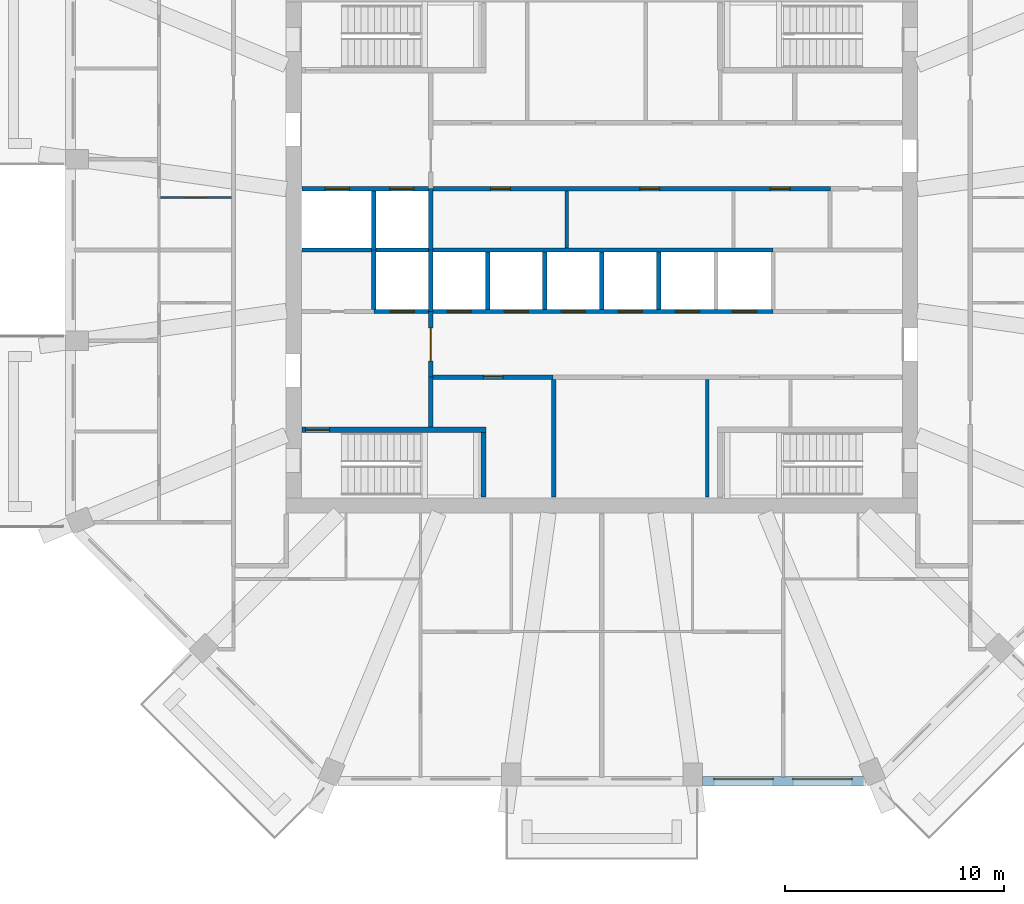
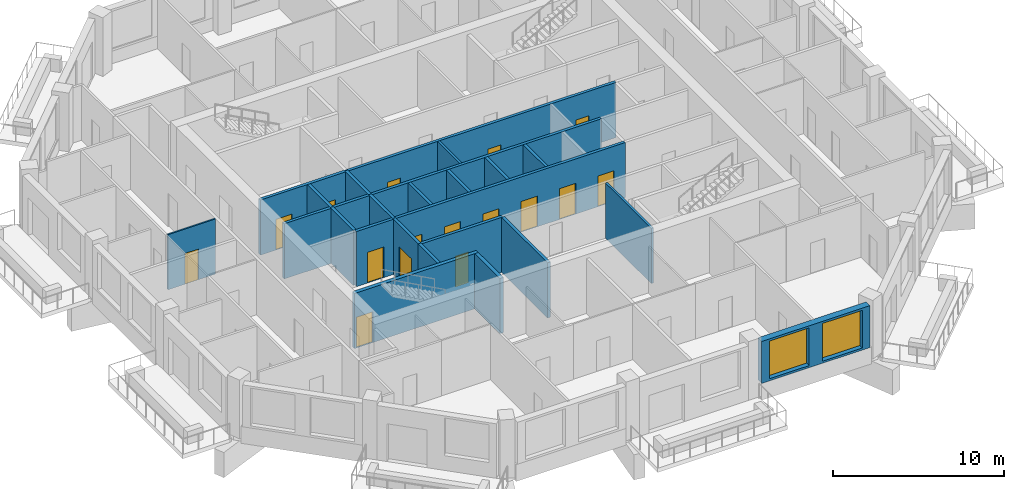
# One storey, part 4 of 12: 22 walls, 16 doors, 2 windows, 18 openings.
"""IFC4 building model written with IfcOpenShell, lengths in metres."""

from ifc_helpers import new_model, si_unit, direction, frame, frame_2d, origin, place, context, subcontext, project, spatial, rectangle, extrude, material, layer, layer_set, type_object, element, fill, save


model = new_model("IFC4")

# Units and contexts
model_context = context("Model", 3, precision=1e-05, world=origin(), true_north=direction((0.0, 1.0)))
body_context = subcontext(model_context, "Body", "Model", "MODEL_VIEW")
ifc_project = project(units=[si_unit("LENGTHUNIT", "METRE"), si_unit("AREAUNIT", "SQUARE_METRE"), si_unit("VOLUMEUNIT", "CUBIC_METRE"), si_unit("PLANEANGLEUNIT", "RADIAN"), si_unit("MASSUNIT", "GRAM", prefix="KILO")], contexts=[model_context])

# Site, building, storey
site_placement = place(None, origin())
site = spatial("IfcSite", under=ifc_project, at=site_placement, CompositionType="ELEMENT")
building_placement = place(site_placement, origin())
building = spatial("IfcBuilding", under=site, at=building_placement, Name="Msitu Wima Residences", CompositionType="ELEMENT")
storey_placement = place(building_placement, frame((0.0, 0.0, 162.300048828125)))
storey = spatial("IfcBuildingStorey", under=building, at=storey_placement, Name="L37", CompositionType="ELEMENT", Elevation=162.300048828125)

# Wall, openings, windows
ifc_material_1 = material(Name="Brick (red buff mix)", Category="masonry")
ifc_layer_1 = layer(ifc_material_1, 0.449951171875)
ifc_layer_set_1 = layer_set([ifc_layer_1], Name="Brick (red buff mix)")
wall_type_1 = type_object("IfcWallType", Name="Brick infill wall BW450", PredefinedType="SOLIDWALL", material=ifc_layer_set_1)
wall_1_placement = place(storey_placement, frame((4.587158203125, -24.22509765625, 0.89990234375), z_axis=(0.0, 0.0, 1.0), x_axis=(1.0, 0.0, 0.0)))
wall_1 = element("IfcWall", 1, at=wall_1_placement, inside=storey, type_object=wall_type_1, Name="Brick infill wall L37 S2", PredefinedType="SOLIDWALL", context=body_context, shape_type="SweptSolid", body=[
    extrude(rectangle(XDim=7.337646484375, YDim=0.449951171875, at=frame_2d((3.6689453125, 0.0))), origin(), (0.0, 0.0, 1.0), 3.0),
])
opening_1_placement = place(wall_1_placement, frame((0.518798828125, 0.0, 0.14990234375)))
opening_1 = element("IfcOpeningElement", 2, at=opening_1_placement, cuts=wall_1, Name="Opening W37.019", PredefinedType="OPENING", context=body_context, shape_type="SweptSolid", body=[
    extrude(rectangle(XDim=2.699951171875, YDim=2.699951171875, at=frame_2d((1.35009765625, 1.35009765625))), frame((0.0, 0.23486328125, 0.0), z_axis=(0.0, -1.0, 0.0), x_axis=(1.0, 0.0, 0.0)), (0.0, 0.0, 1.0), 0.469970703125),
])
opening_2_placement = place(wall_1_placement, frame((4.11865234375, 0.0, 0.14990234375)))
opening_2 = element("IfcOpeningElement", 3, at=opening_2_placement, cuts=wall_1, Name="Opening W37.020", PredefinedType="OPENING", context=body_context, shape_type="SweptSolid", body=[
    extrude(rectangle(XDim=2.699951171875, YDim=2.699951171875, at=frame_2d((1.35009765625, 1.35009765625))), frame((0.0, 0.23486328125, 0.0), z_axis=(0.0, -1.0, 0.0), x_axis=(1.0, 0.0, 0.0)), (0.0, 0.0, 1.0), 0.469970703125),
])
ifc_material_2 = material(Name="Anodised aluminium, bronze finish, clear low-emissivity double glazing", Category="aluminium")
window_type = type_object("IfcWindowType", Name="Window W2700x2700", PartitioningType="DOUBLE_PANEL_VERTICAL", PredefinedType="WINDOW", material=ifc_material_2)
window_1_placement = place(opening_1_placement, origin())
window_1 = element("IfcWindow", 4, at=window_1_placement, inside=storey, type_object=window_type, Name="Window L37 S2.1", OverallHeight=2.699951171875, OverallWidth=2.699951171875, PartitioningType="SINGLE_PANEL", PredefinedType="WINDOW", context=body_context, shape_type="SweptSolid", body=[
    extrude(rectangle(XDim=2.699951171875, YDim=2.699951171875, at=frame_2d((1.35009765625, 1.35009765625))), frame((0.0, 0.135009765625, 0.0), z_axis=(0.0, -1.0, 0.0), x_axis=(1.0, 0.0, 0.0)), (0.0, 0.0, 1.0), 0.06005859375),
])
fill(opening_1, window_1)
window_2_placement = place(opening_2_placement, origin())
window_2 = element("IfcWindow", 5, at=window_2_placement, inside=storey, type_object=window_type, Name="Window L37 S2.2", OverallHeight=2.699951171875, OverallWidth=2.699951171875, PartitioningType="SINGLE_PANEL", PredefinedType="WINDOW", context=body_context, shape_type="SweptSolid", body=[
    extrude(rectangle(XDim=2.699951171875, YDim=2.699951171875, at=frame_2d((1.35009765625, 1.35009765625))), frame((0.0, 0.135009765625, 0.0), z_axis=(0.0, -1.0, 0.0), x_axis=(1.0, 0.0, 0.0)), (0.0, 0.0, 1.0), 0.06005859375),
])
fill(opening_2, window_2)

# Wall, openings, doors
ifc_material_3 = material(Name="Plaster")
ifc_layer_2 = layer(ifc_material_3, 0.011962890625, Name="Plaster")
ifc_material_4 = material(Name="Concrete blockwork", Category="masonry")
ifc_layer_3 = layer(ifc_material_4, 0.176025390625, Name="Concrete blockwork")
ifc_layer_4 = layer(ifc_material_3, 0.011962890625, Name="Plaster")
ifc_layer_set_2 = layer_set([ifc_layer_2, ifc_layer_3, ifc_layer_4], Name="Concrete blockwork")
wall_type_2 = type_object("IfcWallType", Name="Corridor wall FW200", PredefinedType="PARTITIONING", material=ifc_layer_set_2)
wall_2_placement = place(storey_placement, frame((-7.820068359375, 2.800048828125, 0.0), z_axis=(0.0, 0.0, 1.0), x_axis=(1.0, 0.0, 0.0)))
wall_2 = element("IfcWall", 6, at=wall_2_placement, inside=storey, type_object=wall_type_2, Name="Corridor wall", PredefinedType="PARTITIONING", context=body_context, shape_type="SweptSolid", body=[
    extrude(rectangle(XDim=18.239990234375, YDim=0.199951171875, at=frame_2d((9.1201171875, 0.0))), origin(), (0.0, 0.0, 1.0), 3.949951171875),
])
opening_3_placement = place(wall_2_placement, frame((2.75, 0.0, 0.0)))
opening_3 = element("IfcOpeningElement", 7, at=opening_3_placement, cuts=wall_2, Name="Opening D37.075", PredefinedType="OPENING", context=body_context, shape_type="SweptSolid", body=[
    extrude(rectangle(XDim=0.89990234375, YDim=2.199951171875, at=frame_2d((0.449951171875, 1.10009765625))), frame((0.0, 0.10986328125, 0.0), z_axis=(0.0, -1.0, 0.0), x_axis=(1.0, 0.0, 0.0)), (0.0, 0.0, 1.0), 0.219970703125),
])
opening_4_placement = place(wall_2_placement, frame((9.550048828125, 0.0, 0.0)))
opening_4 = element("IfcOpeningElement", 8, at=opening_4_placement, cuts=wall_2, Name="Opening D37.076", PredefinedType="OPENING", context=body_context, shape_type="SweptSolid", body=[
    extrude(rectangle(XDim=0.89990234375, YDim=2.199951171875, at=frame_2d((0.449951171875, 1.10009765625))), frame((0.0, 0.10986328125, 0.0), z_axis=(0.0, -1.0, 0.0), x_axis=(1.0, 0.0, 0.0)), (0.0, 0.0, 1.0), 0.219970703125),
])
opening_5_placement = place(wall_2_placement, frame((15.5, 0.0, 0.0)))
opening_5 = element("IfcOpeningElement", 9, at=opening_5_placement, cuts=wall_2, Name="Opening D37.077", PredefinedType="OPENING", context=body_context, shape_type="SweptSolid", body=[
    extrude(rectangle(XDim=0.89990234375, YDim=2.199951171875, at=frame_2d((0.449951171875, 1.10009765625))), frame((0.0, 0.10986328125, 0.0), z_axis=(0.0, -1.0, 0.0), x_axis=(1.0, 0.0, 0.0)), (0.0, 0.0, 1.0), 0.219970703125),
])
ifc_material_5 = material(Name="Timber flush door", Category="wood")
door_type_1 = type_object("IfcDoorType", Name="Service door D05 900x2200", OperationType="SINGLE_SWING_LEFT", PredefinedType="DOOR", material=ifc_material_5)
door_1_placement = place(opening_3_placement, origin())
door_1 = element("IfcDoor", 10, at=door_1_placement, inside=storey, type_object=door_type_1, Name="Service door", OperationType="SINGLE_SWING_LEFT", OverallHeight=2.199951171875, OverallWidth=0.89990234375, PredefinedType="DOOR", context=body_context, shape_type="SweptSolid", body=[
    extrude(rectangle(XDim=0.89990234375, YDim=2.199951171875, at=frame_2d((0.449951171875, 1.10009765625))), frame((0.0, 0.02490234375, 0.0), z_axis=(0.0, -1.0, 0.0), x_axis=(1.0, 0.0, 0.0)), (0.0, 0.0, 1.0), 0.050048828125),
])
fill(opening_3, door_1)
door_2_placement = place(opening_4_placement, origin())
door_2 = element("IfcDoor", 11, at=door_2_placement, inside=storey, type_object=door_type_1, Name="Service door", OperationType="SINGLE_SWING_LEFT", OverallHeight=2.199951171875, OverallWidth=0.89990234375, PredefinedType="DOOR", context=body_context, shape_type="SweptSolid", body=[
    extrude(rectangle(XDim=0.89990234375, YDim=2.199951171875, at=frame_2d((0.449951171875, 1.10009765625))), frame((0.0, 0.02490234375, 0.0), z_axis=(0.0, -1.0, 0.0), x_axis=(1.0, 0.0, 0.0)), (0.0, 0.0, 1.0), 0.050048828125),
])
fill(opening_4, door_2)
door_3_placement = place(opening_5_placement, origin())
door_3 = element("IfcDoor", 12, at=door_3_placement, inside=storey, type_object=door_type_1, Name="Service door", OperationType="SINGLE_SWING_RIGHT", OverallHeight=2.199951171875, OverallWidth=0.89990234375, PredefinedType="DOOR", context=body_context, shape_type="SweptSolid", body=[
    extrude(rectangle(XDim=0.89990234375, YDim=2.199951171875, at=frame_2d((0.449951171875, 1.10009765625))), frame((0.0, 0.02490234375, 0.0), z_axis=(0.0, -1.0, 0.0), x_axis=(1.0, 0.0, 0.0)), (0.0, 0.0, 1.0), 0.050048828125),
])
fill(opening_5, door_3)

# Wall, opening, door
wall_3_placement = place(storey_placement, frame((-7.800048828125, -5.800048828125, 0.0), z_axis=(0.0, 0.0, 1.0), x_axis=(0.0, 1.0, 0.0)))
wall_3 = element("IfcWall", 13, at=wall_3_placement, inside=storey, type_object=wall_type_2, Name="Corridor wall", PredefinedType="PARTITIONING", context=body_context, shape_type="SweptSolid", body=[
    extrude(rectangle(XDim=3.0, YDim=0.199951171875, at=frame_2d((1.5, 0.0))), origin(), (0.0, 0.0, 1.0), 3.949951171875),
])
opening_6_placement = place(wall_3_placement, frame((0.75, 0.0, 0.0)))
opening_6 = element("IfcOpeningElement", 14, at=opening_6_placement, cuts=wall_3, Name="Opening D37.063", PredefinedType="OPENING", context=body_context, shape_type="SweptSolid", body=[
    extrude(rectangle(XDim=1.5, YDim=2.39990234375, at=frame_2d((0.75, 1.199951171875))), frame((0.0, 0.10986328125, 0.0), z_axis=(0.0, -1.0, 0.0), x_axis=(1.0, 0.0, 0.0)), (0.0, 0.0, 1.0), 0.219970703125),
])
ifc_material_6 = material(Name="Steel framed glazed door, fire resisting", Category="steel")
door_type_2 = type_object("IfcDoorType", Name="Lobby door D07 1500x2400", OperationType="DOUBLE_DOOR_SINGLE_SWING", PredefinedType="DOOR", material=ifc_material_6)
door_4_placement = place(opening_6_placement, origin())
door_4 = element("IfcDoor", 15, at=door_4_placement, inside=storey, type_object=door_type_2, Name="Lobby door", OperationType="DOUBLE_DOOR_SINGLE_SWING", OverallHeight=2.39990234375, OverallWidth=1.5, PredefinedType="DOOR", context=body_context, shape_type="SweptSolid", body=[
    extrude(rectangle(XDim=1.5, YDim=2.39990234375, at=frame_2d((0.75, 1.199951171875))), frame((0.0, 0.02490234375, 0.0), z_axis=(0.0, -1.0, 0.0), x_axis=(1.0, 0.0, 0.0)), (0.0, 0.0, 1.0), 0.050048828125),
])
fill(opening_6, door_4)

# Walls
ifc_layer_5 = layer(ifc_material_3, 0.011962890625, Name="Plaster")
ifc_layer_6 = layer(ifc_material_4, 0.1259765625, Name="Concrete blockwork")
ifc_layer_7 = layer(ifc_material_3, 0.011962890625, Name="Plaster")
ifc_layer_set_3 = layer_set([ifc_layer_5, ifc_layer_6, ifc_layer_7], Name="Concrete blockwork")
wall_type_3 = type_object("IfcWallType", Name="Partition PW150", PredefinedType="PARTITIONING", material=ifc_layer_set_3)
wall_4_placement = place(storey_placement, frame((-1.60009765625, 0.10009765625, 0.0), z_axis=(0.0, 0.0, 1.0), x_axis=(0.0, 1.0, 0.0)))
element("IfcWall", 16, at=wall_4_placement, inside=storey, type_object=wall_type_3, Name="Partition", PredefinedType="PARTITIONING", context=body_context, shape_type="SweptSolid", body=[
    extrude(rectangle(XDim=2.599853515625, YDim=0.14990234375, at=frame_2d((1.2998046875, 0.0))), origin(), (0.0, 0.0, 1.0), 3.949951171875),
])
wall_5_placement = place(storey_placement, frame((4.800048828125, -11.27001953125, 0.0), z_axis=(0.0, 0.0, 1.0), x_axis=(0.0, 1.0, 0.0)))
element("IfcWall", 17, at=wall_5_placement, inside=storey, type_object=wall_type_3, Name="Partition", PredefinedType="PARTITIONING", context=body_context, shape_type="SweptSolid", body=[
    extrude(rectangle(XDim=5.3701171875, YDim=0.14990234375, at=frame_2d((2.68505859375, 0.0))), origin(), (0.0, 0.0, 1.0), 3.949951171875),
])
ifc_layer_8 = layer(ifc_material_3, 0.011962890625, Name="Plaster")
ifc_material_7 = material(Name="Reinforced concrete blockwork", Category="masonry")
ifc_layer_9 = layer(ifc_material_7, 0.176025390625, Name="Reinforced concrete blockwork")
ifc_layer_10 = layer(ifc_material_3, 0.011962890625, Name="Plaster")
ifc_layer_set_4 = layer_set([ifc_layer_8, ifc_layer_9, ifc_layer_10], Name="Reinforced concrete blockwork")
wall_type_4 = type_object("IfcWallType", Name="Plant and riser wall PL200", PredefinedType="PARTITIONING", material=ifc_layer_set_4)
wall_6_placement = place(storey_placement, frame((-7.800048828125, -8.074951171875, 0.0), z_axis=(0.0, 0.0, 1.0), x_axis=(0.0, 1.0, 0.0)))
element("IfcWall", 18, at=wall_6_placement, inside=storey, type_object=wall_type_4, Name="Plant and riser wall", PredefinedType="PARTITIONING", context=body_context, shape_type="SweptSolid", body=[
    extrude(rectangle(XDim=2.27490234375, YDim=0.199951171875, at=frame_2d((1.137451171875, 0.0))), origin(), (0.0, 0.0, 1.0), 3.949951171875),
])

# Wall, opening, door
wall_7_placement = place(storey_placement, frame((-7.699951171875, -5.800048828125, 0.0), z_axis=(0.0, 0.0, 1.0), x_axis=(1.0, 0.0, 0.0)))
wall_7 = element("IfcWall", 19, at=wall_7_placement, inside=storey, type_object=wall_type_4, Name="Plant and riser wall", PredefinedType="PARTITIONING", context=body_context, shape_type="SweptSolid", body=[
    extrude(rectangle(XDim=5.47998046875, YDim=0.199951171875, at=frame_2d((2.739990234375, 0.0))), origin(), (0.0, 0.0, 1.0), 3.949951171875),
])
opening_7_placement = place(wall_7_placement, frame((2.300048828125, 0.0, 0.0)))
opening_7 = element("IfcOpeningElement", 20, at=opening_7_placement, cuts=wall_7, Name="Opening D37.069", PredefinedType="OPENING", context=body_context, shape_type="SweptSolid", body=[
    extrude(rectangle(XDim=0.89990234375, YDim=2.199951171875, at=frame_2d((0.449951171875, 1.10009765625))), frame((0.0, 0.10986328125, 0.0), z_axis=(0.0, -1.0, 0.0), x_axis=(1.0, 0.0, 0.0)), (0.0, 0.0, 1.0), 0.219970703125),
])
door_5_placement = place(opening_7_placement, origin())
door_5 = element("IfcDoor", 21, at=door_5_placement, inside=storey, type_object=door_type_1, Name="Service door", OperationType="SINGLE_SWING_LEFT", OverallHeight=2.199951171875, OverallWidth=0.89990234375, PredefinedType="DOOR", context=body_context, shape_type="SweptSolid", body=[
    extrude(rectangle(XDim=0.89990234375, YDim=2.199951171875, at=frame_2d((0.449951171875, 1.10009765625))), frame((0.0, 0.02490234375, 0.0), z_axis=(0.0, -1.0, 0.0), x_axis=(1.0, 0.0, 0.0)), (0.0, 0.0, 1.0), 0.050048828125),
])
fill(opening_7, door_5)

# Walls
wall_8_placement = place(storey_placement, frame((-2.199951171875, -11.27001953125, 0.0), z_axis=(0.0, 0.0, 1.0), x_axis=(0.0, 1.0, 0.0)))
element("IfcWall", 22, at=wall_8_placement, inside=storey, type_object=wall_type_4, Name="Plant and riser wall", PredefinedType="PARTITIONING", context=body_context, shape_type="SweptSolid", body=[
    extrude(rectangle(XDim=5.3701171875, YDim=0.199951171875, at=frame_2d((2.68505859375, 0.0))), origin(), (0.0, 0.0, 1.0), 3.949951171875),
])
ifc_material_8 = material(Name="Fire-rated board")
ifc_layer_11 = layer(ifc_material_8, 0.02490234375, Name="Fire-rated board")
ifc_material_9 = material(Name="Light-gauge stud framing with mineral wool")
ifc_layer_12 = layer(ifc_material_9, 0.14990234375, Name="Light-gauge stud framing with mineral wool")
ifc_layer_13 = layer(ifc_material_8, 0.02490234375, Name="Fire-rated board")
ifc_layer_set_5 = layer_set([ifc_layer_11, ifc_layer_12, ifc_layer_13], Name="Light-gauge stud framing with mineral wool")
wall_type_5 = type_object("IfcWallType", Name="Shaft wall SH200", PredefinedType="PARTITIONING", material=ifc_layer_set_5)
wall_9_placement = place(storey_placement, frame((-13.669921875, 0.0, 0.0), z_axis=(0.0, 0.0, 1.0), x_axis=(1.0, 0.0, 0.0)))
element("IfcWall", 23, at=wall_9_placement, inside=storey, type_object=wall_type_5, Name="Shaft wall", PredefinedType="PARTITIONING", context=body_context, shape_type="SweptSolid", body=[
    extrude(rectangle(XDim=21.469970703125, YDim=0.199951171875, at=frame_2d((10.73486328125, 0.0))), origin(), (0.0, 0.0, 1.0), 3.949951171875),
])

# Wall, openings, doors
wall_10_placement = place(storey_placement, frame((-13.669921875, 2.800048828125, 0.0), z_axis=(0.0, 0.0, 1.0), x_axis=(1.0, 0.0, 0.0)))
wall_10 = element("IfcWall", 24, at=wall_10_placement, inside=storey, type_object=wall_type_5, Name="Shaft wall", PredefinedType="PARTITIONING", context=body_context, shape_type="SweptSolid", body=[
    extrude(rectangle(XDim=5.849853515625, YDim=0.199951171875, at=frame_2d((2.9248046875, 0.0))), origin(), (0.0, 0.0, 1.0), 3.949951171875),
])
opening_8_placement = place(wall_10_placement, frame((1.050048828125, 0.0, 0.0)))
opening_8 = element("IfcOpeningElement", 25, at=opening_8_placement, cuts=wall_10, Name="Opening LD", PredefinedType="OPENING", context=body_context, shape_type="SweptSolid", body=[
    extrude(rectangle(XDim=1.10009765625, YDim=2.199951171875, at=frame_2d((0.550048828125, 1.10009765625))), frame((0.0, 0.10986328125, 0.0), z_axis=(0.0, -1.0, 0.0), x_axis=(1.0, 0.0, 0.0)), (0.0, 0.0, 1.0), 0.219970703125),
])
opening_9_placement = place(wall_10_placement, frame((4.0, 0.0, 0.0)))
opening_9 = element("IfcOpeningElement", 26, at=opening_9_placement, cuts=wall_10, Name="Opening LD", PredefinedType="OPENING", context=body_context, shape_type="SweptSolid", body=[
    extrude(rectangle(XDim=1.10009765625, YDim=2.199951171875, at=frame_2d((0.550048828125, 1.10009765625))), frame((0.0, 0.10986328125, 0.0), z_axis=(0.0, -1.0, 0.0), x_axis=(1.0, 0.0, 0.0)), (0.0, 0.0, 1.0), 0.219970703125),
])
ifc_material_10 = material(Name="Stainless steel centre-opening landing door, rated", Category="steel")
door_type_3 = type_object("IfcDoorType", Name="Lift landing door LD 1100x2200", OperationType="DOUBLE_DOOR_SLIDING", PredefinedType="DOOR", material=ifc_material_10)
door_6_placement = place(opening_8_placement, origin())
door_6 = element("IfcDoor", 27, at=door_6_placement, inside=storey, type_object=door_type_3, Name="Lift landing door LD1", OperationType="DOUBLE_DOOR_SLIDING", OverallHeight=2.199951171875, OverallWidth=1.10009765625, PredefinedType="DOOR", context=body_context, shape_type="SweptSolid", body=[
    extrude(rectangle(XDim=1.10009765625, YDim=2.199951171875, at=frame_2d((0.550048828125, 1.10009765625))), frame((0.0, 0.02490234375, 0.0), z_axis=(0.0, -1.0, 0.0), x_axis=(1.0, 0.0, 0.0)), (0.0, 0.0, 1.0), 0.050048828125),
])
fill(opening_8, door_6)
door_7_placement = place(opening_9_placement, origin())
door_7 = element("IfcDoor", 28, at=door_7_placement, inside=storey, type_object=door_type_3, Name="Lift landing door LD2", OperationType="DOUBLE_DOOR_SLIDING", OverallHeight=2.199951171875, OverallWidth=1.10009765625, PredefinedType="DOOR", context=body_context, shape_type="SweptSolid", body=[
    extrude(rectangle(XDim=1.10009765625, YDim=2.199951171875, at=frame_2d((0.550048828125, 1.10009765625))), frame((0.0, 0.02490234375, 0.0), z_axis=(0.0, -1.0, 0.0), x_axis=(1.0, 0.0, 0.0)), (0.0, 0.0, 1.0), 0.050048828125),
])
fill(opening_9, door_7)

# Wall
wall_11_placement = place(storey_placement, frame((-10.39990234375, -2.699951171875, 0.0), z_axis=(0.0, 0.0, 1.0), x_axis=(0.0, 1.0, 0.0)))
element("IfcWall", 29, at=wall_11_placement, inside=storey, type_object=wall_type_5, Name="Shaft wall", PredefinedType="PARTITIONING", context=body_context, shape_type="SweptSolid", body=[
    extrude(rectangle(XDim=2.699951171875, YDim=0.199951171875, at=frame_2d((1.35009765625, 0.0))), origin(), (0.0, 0.0, 1.0), 3.949951171875),
])

# Wall, openings, doors
wall_12_placement = place(storey_placement, frame((-10.39990234375, -2.800048828125, 0.0), z_axis=(0.0, 0.0, 1.0), x_axis=(1.0, 0.0, 0.0)))
wall_12 = element("IfcWall", 30, at=wall_12_placement, inside=storey, type_object=wall_type_5, Name="Shaft wall", PredefinedType="PARTITIONING", context=body_context, shape_type="SweptSolid", body=[
    extrude(rectangle(XDim=18.199951171875, YDim=0.199951171875, at=frame_2d((9.10009765625, 0.0))), origin(), (0.0, 0.0, 1.0), 3.949951171875),
])
opening_10_placement = place(wall_12_placement, frame((0.75, 0.0, 0.0)))
opening_10 = element("IfcOpeningElement", 31, at=opening_10_placement, cuts=wall_12, Name="Opening LD", PredefinedType="OPENING", context=body_context, shape_type="SweptSolid", body=[
    extrude(rectangle(XDim=1.10009765625, YDim=2.199951171875, at=frame_2d((0.550048828125, 1.10009765625))), frame((0.0, 0.10986328125, 0.0), z_axis=(0.0, -1.0, 0.0), x_axis=(1.0, 0.0, 0.0)), (0.0, 0.0, 1.0), 0.219970703125),
])
opening_11_placement = place(wall_12_placement, frame((3.35009765625, 0.0, 0.0)))
opening_11 = element("IfcOpeningElement", 32, at=opening_11_placement, cuts=wall_12, Name="Opening LD", PredefinedType="OPENING", context=body_context, shape_type="SweptSolid", body=[
    extrude(rectangle(XDim=1.10009765625, YDim=2.199951171875, at=frame_2d((0.550048828125, 1.10009765625))), frame((0.0, 0.10986328125, 0.0), z_axis=(0.0, -1.0, 0.0), x_axis=(1.0, 0.0, 0.0)), (0.0, 0.0, 1.0), 0.219970703125),
])
opening_12_placement = place(wall_12_placement, frame((5.949951171875, 0.0, 0.0)))
opening_12 = element("IfcOpeningElement", 33, at=opening_12_placement, cuts=wall_12, Name="Opening LD", PredefinedType="OPENING", context=body_context, shape_type="SweptSolid", body=[
    extrude(rectangle(XDim=1.10009765625, YDim=2.199951171875, at=frame_2d((0.550048828125, 1.10009765625))), frame((0.0, 0.10986328125, 0.0), z_axis=(0.0, -1.0, 0.0), x_axis=(1.0, 0.0, 0.0)), (0.0, 0.0, 1.0), 0.219970703125),
])
opening_13_placement = place(wall_12_placement, frame((8.550048828125, 0.0, 0.0)))
opening_13 = element("IfcOpeningElement", 34, at=opening_13_placement, cuts=wall_12, Name="Opening LD", PredefinedType="OPENING", context=body_context, shape_type="SweptSolid", body=[
    extrude(rectangle(XDim=1.10009765625, YDim=2.199951171875, at=frame_2d((0.550048828125, 1.10009765625))), frame((0.0, 0.10986328125, 0.0), z_axis=(0.0, -1.0, 0.0), x_axis=(1.0, 0.0, 0.0)), (0.0, 0.0, 1.0), 0.219970703125),
])
opening_14_placement = place(wall_12_placement, frame((11.14990234375, 0.0, 0.0)))
opening_14 = element("IfcOpeningElement", 35, at=opening_14_placement, cuts=wall_12, Name="Opening LD", PredefinedType="OPENING", context=body_context, shape_type="SweptSolid", body=[
    extrude(rectangle(XDim=1.10009765625, YDim=2.199951171875, at=frame_2d((0.550048828125, 1.10009765625))), frame((0.0, 0.10986328125, 0.0), z_axis=(0.0, -1.0, 0.0), x_axis=(1.0, 0.0, 0.0)), (0.0, 0.0, 1.0), 0.219970703125),
])
opening_15_placement = place(wall_12_placement, frame((13.75, 0.0, 0.0)))
opening_15 = element("IfcOpeningElement", 36, at=opening_15_placement, cuts=wall_12, Name="Opening LD", PredefinedType="OPENING", context=body_context, shape_type="SweptSolid", body=[
    extrude(rectangle(XDim=1.10009765625, YDim=2.199951171875, at=frame_2d((0.550048828125, 1.10009765625))), frame((0.0, 0.10986328125, 0.0), z_axis=(0.0, -1.0, 0.0), x_axis=(1.0, 0.0, 0.0)), (0.0, 0.0, 1.0), 0.219970703125),
])
opening_16_placement = place(wall_12_placement, frame((16.35009765625, 0.0, 0.0)))
opening_16 = element("IfcOpeningElement", 37, at=opening_16_placement, cuts=wall_12, Name="Opening LD", PredefinedType="OPENING", context=body_context, shape_type="SweptSolid", body=[
    extrude(rectangle(XDim=1.10009765625, YDim=2.199951171875, at=frame_2d((0.550048828125, 1.10009765625))), frame((0.0, 0.10986328125, 0.0), z_axis=(0.0, -1.0, 0.0), x_axis=(1.0, 0.0, 0.0)), (0.0, 0.0, 1.0), 0.219970703125),
])
door_8_placement = place(opening_10_placement, origin())
door_8 = element("IfcDoor", 38, at=door_8_placement, inside=storey, type_object=door_type_3, Name="Lift landing door LD3", OperationType="DOUBLE_DOOR_SLIDING", OverallHeight=2.199951171875, OverallWidth=1.10009765625, PredefinedType="DOOR", context=body_context, shape_type="SweptSolid", body=[
    extrude(rectangle(XDim=1.10009765625, YDim=2.199951171875, at=frame_2d((0.550048828125, 1.10009765625))), frame((0.0, 0.02490234375, 0.0), z_axis=(0.0, -1.0, 0.0), x_axis=(1.0, 0.0, 0.0)), (0.0, 0.0, 1.0), 0.050048828125),
])
fill(opening_10, door_8)
door_9_placement = place(opening_11_placement, origin())
door_9 = element("IfcDoor", 39, at=door_9_placement, inside=storey, type_object=door_type_3, Name="Lift landing door LD5", OperationType="DOUBLE_DOOR_SLIDING", OverallHeight=2.199951171875, OverallWidth=1.10009765625, PredefinedType="DOOR", context=body_context, shape_type="SweptSolid", body=[
    extrude(rectangle(XDim=1.10009765625, YDim=2.199951171875, at=frame_2d((0.550048828125, 1.10009765625))), frame((0.0, 0.02490234375, 0.0), z_axis=(0.0, -1.0, 0.0), x_axis=(1.0, 0.0, 0.0)), (0.0, 0.0, 1.0), 0.050048828125),
])
fill(opening_11, door_9)
door_10_placement = place(opening_12_placement, origin())
door_10 = element("IfcDoor", 40, at=door_10_placement, inside=storey, type_object=door_type_3, Name="Lift landing door LD7", OperationType="DOUBLE_DOOR_SLIDING", OverallHeight=2.199951171875, OverallWidth=1.10009765625, PredefinedType="DOOR", context=body_context, shape_type="SweptSolid", body=[
    extrude(rectangle(XDim=1.10009765625, YDim=2.199951171875, at=frame_2d((0.550048828125, 1.10009765625))), frame((0.0, 0.02490234375, 0.0), z_axis=(0.0, -1.0, 0.0), x_axis=(1.0, 0.0, 0.0)), (0.0, 0.0, 1.0), 0.050048828125),
])
fill(opening_12, door_10)
door_11_placement = place(opening_13_placement, origin())
door_11 = element("IfcDoor", 41, at=door_11_placement, inside=storey, type_object=door_type_3, Name="Lift landing door LD9", OperationType="DOUBLE_DOOR_SLIDING", OverallHeight=2.199951171875, OverallWidth=1.10009765625, PredefinedType="DOOR", context=body_context, shape_type="SweptSolid", body=[
    extrude(rectangle(XDim=1.10009765625, YDim=2.199951171875, at=frame_2d((0.550048828125, 1.10009765625))), frame((0.0, 0.02490234375, 0.0), z_axis=(0.0, -1.0, 0.0), x_axis=(1.0, 0.0, 0.0)), (0.0, 0.0, 1.0), 0.050048828125),
])
fill(opening_13, door_11)
door_12_placement = place(opening_14_placement, origin())
door_12 = element("IfcDoor", 42, at=door_12_placement, inside=storey, type_object=door_type_3, Name="Lift landing door LD11", OperationType="DOUBLE_DOOR_SLIDING", OverallHeight=2.199951171875, OverallWidth=1.10009765625, PredefinedType="DOOR", context=body_context, shape_type="SweptSolid", body=[
    extrude(rectangle(XDim=1.10009765625, YDim=2.199951171875, at=frame_2d((0.550048828125, 1.10009765625))), frame((0.0, 0.02490234375, 0.0), z_axis=(0.0, -1.0, 0.0), x_axis=(1.0, 0.0, 0.0)), (0.0, 0.0, 1.0), 0.050048828125),
])
fill(opening_14, door_12)
door_13_placement = place(opening_15_placement, origin())
door_13 = element("IfcDoor", 43, at=door_13_placement, inside=storey, type_object=door_type_3, Name="Lift landing door LD13", OperationType="DOUBLE_DOOR_SLIDING", OverallHeight=2.199951171875, OverallWidth=1.10009765625, PredefinedType="DOOR", context=body_context, shape_type="SweptSolid", body=[
    extrude(rectangle(XDim=1.10009765625, YDim=2.199951171875, at=frame_2d((0.550048828125, 1.10009765625))), frame((0.0, 0.02490234375, 0.0), z_axis=(0.0, -1.0, 0.0), x_axis=(1.0, 0.0, 0.0)), (0.0, 0.0, 1.0), 0.050048828125),
])
fill(opening_15, door_13)
door_14_placement = place(opening_16_placement, origin())
door_14 = element("IfcDoor", 44, at=door_14_placement, inside=storey, type_object=door_type_3, Name="Lift landing door LD15", OperationType="DOUBLE_DOOR_SLIDING", OverallHeight=2.199951171875, OverallWidth=1.10009765625, PredefinedType="DOOR", context=body_context, shape_type="SweptSolid", body=[
    extrude(rectangle(XDim=1.10009765625, YDim=2.199951171875, at=frame_2d((0.550048828125, 1.10009765625))), frame((0.0, 0.02490234375, 0.0), z_axis=(0.0, -1.0, 0.0), x_axis=(1.0, 0.0, 0.0)), (0.0, 0.0, 1.0), 0.050048828125),
])
fill(opening_16, door_14)

# Walls
wall_13_placement = place(storey_placement, frame((-10.39990234375, 0.0, 0.0), z_axis=(0.0, 0.0, 1.0), x_axis=(0.0, 1.0, 0.0)))
element("IfcWall", 45, at=wall_13_placement, inside=storey, type_object=wall_type_5, Name="Shaft wall", PredefinedType="PARTITIONING", context=body_context, shape_type="SweptSolid", body=[
    extrude(rectangle(XDim=2.699951171875, YDim=0.199951171875, at=frame_2d((1.35009765625, 0.0))), origin(), (0.0, 0.0, 1.0), 3.949951171875),
])
for number, where, z_axis, x_axis, name in (
    (46, (-7.800048828125, -2.800048828125, 0.0), (0.0, 0.0, 1.0), (0.0, 1.0, 0.0), "Shaft wall"),
    (47, (-7.800048828125, 0.0, 0.0), (0.0, 0.0, 1.0), (0.0, 1.0, 0.0), "Shaft wall"),
):
    element("IfcWall", number, at=place(storey_placement, frame(where, z_axis=z_axis, x_axis=x_axis)), inside=storey, type_object=wall_type_5, Name=name, PredefinedType="PARTITIONING", context=body_context, shape_type="SweptSolid", body=[
        extrude(rectangle(XDim=2.800048828125, YDim=0.199951171875, at=frame_2d((1.39990234375, 0.0))), origin(), (0.0, 0.0, 1.0), 3.949951171875),
    ])
for number, where, z_axis, x_axis, name in (
    (48, (-5.199951171875, -2.699951171875, 0.0), (0.0, 0.0, 1.0), (0.0, 1.0, 0.0), "Shaft wall"),
    (49, (-2.60009765625, -2.699951171875, 0.0), (0.0, 0.0, 1.0), (0.0, 1.0, 0.0), "Shaft wall"),
    (50, (0.0, -2.699951171875, 0.0), (0.0, 0.0, 1.0), (0.0, 1.0, 0.0), "Shaft wall"),
    (51, (2.60009765625, -2.699951171875, 0.0), (0.0, 0.0, 1.0), (0.0, 1.0, 0.0), "Shaft wall"),
):
    element("IfcWall", number, at=place(storey_placement, frame(where, z_axis=z_axis, x_axis=x_axis)), inside=storey, type_object=wall_type_5, Name=name, PredefinedType="PARTITIONING", context=body_context, shape_type="SweptSolid", body=[
        extrude(rectangle(XDim=2.599853515625, YDim=0.199951171875, at=frame_2d((1.2998046875, 0.0))), origin(), (0.0, 0.0, 1.0), 3.949951171875),
    ])

# Wall, opening, door
ifc_material_11 = material(Name="Concrete C50/60", Category="concrete")
ifc_layer_14 = layer(ifc_material_11, 0.25)
ifc_layer_set_6 = layer_set([ifc_layer_14], Name="Concrete C50/60")
wall_type_6 = type_object("IfcWallType", Name="Stair enclosure wall SW250", PredefinedType="SHEAR", material=ifc_layer_set_6)
wall_14_placement = place(storey_placement, frame((-13.669921875, -8.199951171875, 0.0), z_axis=(0.0, 0.0, 1.0), x_axis=(1.0, 0.0, 0.0)))
wall_14 = element("IfcWall", 52, at=wall_14_placement, inside=storey, type_object=wall_type_6, Name="Stair enclosure wall", PredefinedType="SHEAR", context=body_context, shape_type="SweptSolid", body=[
    extrude(rectangle(XDim=8.39501953125, YDim=0.25, at=frame_2d((4.197509765625, 0.0))), origin(), (0.0, 0.0, 1.0), 3.949951171875),
])
opening_17_placement = place(wall_14_placement, frame((0.14990234375, 0.0, 0.0)))
opening_17 = element("IfcOpeningElement", 53, at=opening_17_placement, cuts=wall_14, Name="Opening D37.083", PredefinedType="OPENING", context=body_context, shape_type="SweptSolid", body=[
    extrude(rectangle(XDim=1.10009765625, YDim=2.199951171875, at=frame_2d((0.550048828125, 1.10009765625))), frame((0.0, 0.135009765625, 0.0), z_axis=(0.0, -1.0, 0.0), x_axis=(1.0, 0.0, 0.0)), (0.0, 0.0, 1.0), 0.27001953125),
])
ifc_material_12 = material(Name="Steel door, fire resisting, panic bar", Category="steel")
door_type_4 = type_object("IfcDoorType", Name="Stair door D06 1100x2200", OperationType="SINGLE_SWING_LEFT", PredefinedType="DOOR", material=ifc_material_12)
door_15_placement = place(opening_17_placement, origin())
door_15 = element("IfcDoor", 54, at=door_15_placement, inside=storey, type_object=door_type_4, Name="Stair door", OperationType="SINGLE_SWING_RIGHT", OverallHeight=2.199951171875, OverallWidth=1.10009765625, PredefinedType="DOOR", context=body_context, shape_type="SweptSolid", body=[
    extrude(rectangle(XDim=1.10009765625, YDim=2.199951171875, at=frame_2d((0.550048828125, 1.10009765625))), frame((0.0, 0.02490234375, 0.0), z_axis=(0.0, -1.0, 0.0), x_axis=(1.0, 0.0, 0.0)), (0.0, 0.0, 1.0), 0.050048828125),
])
fill(opening_17, door_15)

# Wall
wall_15_placement = place(storey_placement, frame((-5.39990234375, -11.27001953125, 0.0), z_axis=(0.0, 0.0, 1.0), x_axis=(0.0, 1.0, 0.0)))
element("IfcWall", 55, at=wall_15_placement, inside=storey, type_object=wall_type_6, Name="Stair enclosure wall", PredefinedType="SHEAR", context=body_context, shape_type="SweptSolid", body=[
    extrude(rectangle(XDim=2.945068359375, YDim=0.25, at=frame_2d((1.47265625, 0.0))), origin(), (0.0, 0.0, 1.0), 3.949951171875),
])

# Wall, opening, door
ifc_material_13 = material(Name="Ceramic tiles")
ifc_layer_15 = layer(ifc_material_13, 0.008056640625, Name="Ceramic tiles")
ifc_material_14 = material(Name="Moisture-resistant board")
ifc_layer_16 = layer(ifc_material_14, 0.012451171875, Name="Moisture-resistant board")
ifc_layer_17 = layer(ifc_material_9, 0.06689453125, Name="Light-gauge stud framing with mineral wool")
ifc_layer_18 = layer(ifc_material_14, 0.012451171875, Name="Moisture-resistant board")
ifc_layer_set_7 = layer_set([ifc_layer_15, ifc_layer_16, ifc_layer_17, ifc_layer_18], Name="Light-gauge stud framing with mineral wool")
wall_type_7 = type_object("IfcWallType", Name="Wet wall PW100", PredefinedType="PARTITIONING", material=ifc_layer_set_7)
wall_16_placement = place(storey_placement, frame((-20.125, 2.39990234375, 0.0), z_axis=(0.0, 0.0, 1.0), x_axis=(1.0, 0.0, 0.0)))
wall_16 = element("IfcWall", 56, at=wall_16_placement, inside=storey, type_object=wall_type_7, Name="Wet wall", PredefinedType="PARTITIONING", context=body_context, shape_type="SweptSolid", body=[
    extrude(rectangle(XDim=3.22509765625, YDim=0.10009765625, at=frame_2d((1.612548828125, 0.0))), origin(), (0.0, 0.0, 1.0), 3.949951171875),
])
opening_18_placement = place(wall_16_placement, frame((1.14990234375, 0.0, 0.0)))
opening_18 = element("IfcOpeningElement", 57, at=opening_18_placement, cuts=wall_16, Name="Opening D37.024", PredefinedType="OPENING", context=body_context, shape_type="SweptSolid", body=[
    extrude(rectangle(XDim=0.89990234375, YDim=2.199951171875, at=frame_2d((0.449951171875, 1.10009765625))), frame((0.0, 0.06005859375, 0.0), z_axis=(0.0, -1.0, 0.0), x_axis=(1.0, 0.0, 0.0)), (0.0, 0.0, 1.0), 0.1201171875),
])
ifc_material_15 = material(Name="Timber flush door, moisture resistant", Category="wood")
door_type_5 = type_object("IfcDoorType", Name="Bathroom door D03 900x2200", OperationType="SINGLE_SWING_LEFT", PredefinedType="DOOR", material=ifc_material_15)
door_16_placement = place(opening_18_placement, origin())
door_16 = element("IfcDoor", 58, at=door_16_placement, inside=storey, type_object=door_type_5, Name="Bathroom door", OperationType="SINGLE_SWING_RIGHT", OverallHeight=2.199951171875, OverallWidth=0.89990234375, PredefinedType="DOOR", context=body_context, shape_type="SweptSolid", body=[
    extrude(rectangle(XDim=0.89990234375, YDim=2.199951171875, at=frame_2d((0.449951171875, 1.10009765625))), frame((0.0, 0.02490234375, 0.0), z_axis=(0.0, -1.0, 0.0), x_axis=(1.0, 0.0, 0.0)), (0.0, 0.0, 1.0), 0.050048828125),
])
fill(opening_18, door_16)

save(model, "model.ifc")
